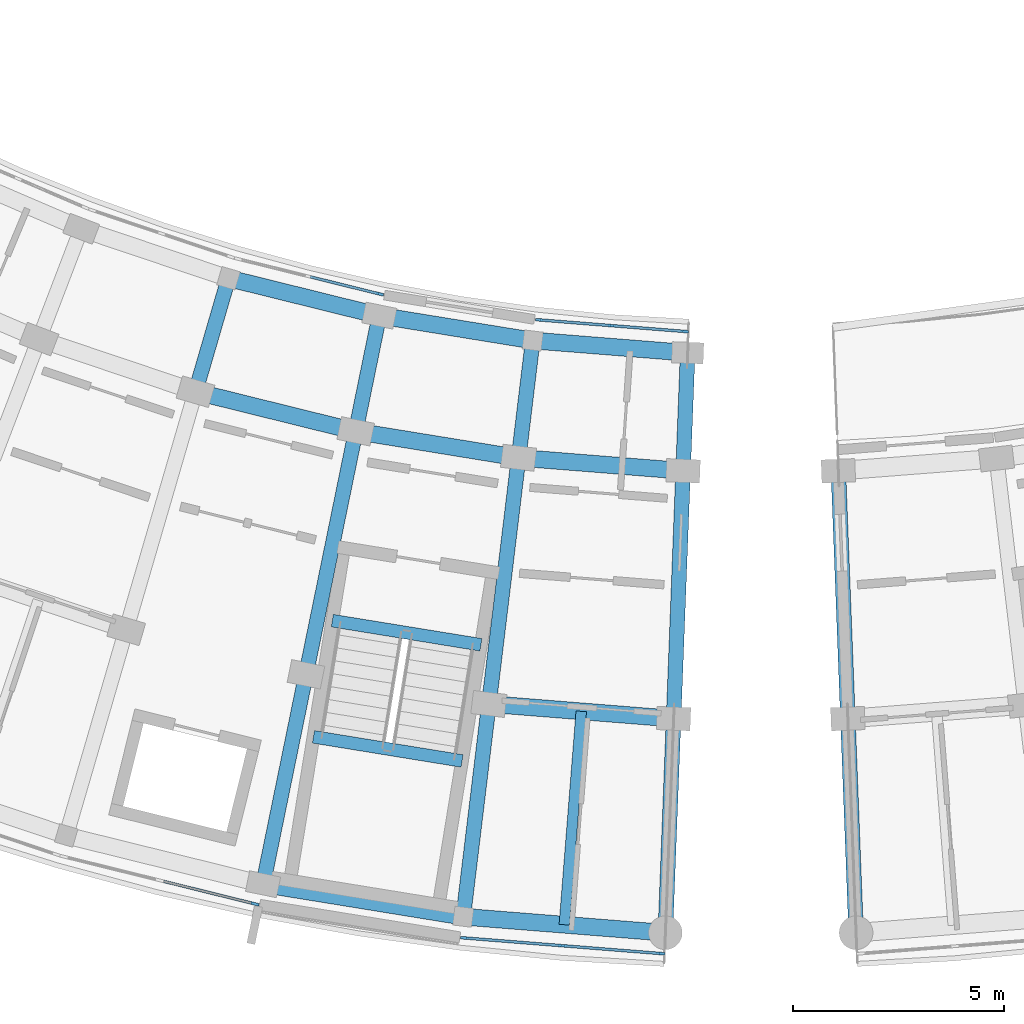
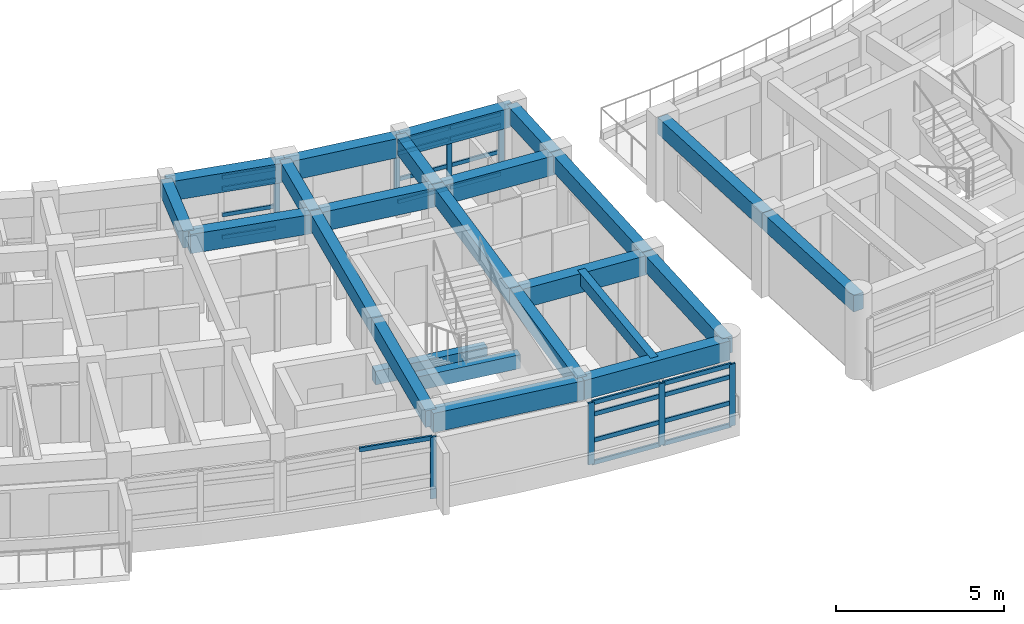
# One storey, part 12 of 54: 29 members, 24 beams, 4 elements without a shape of their own.
"""IFC4 building model written with IfcOpenShell, lengths in metres."""

from ifc_helpers import new_model, si_unit, direction, frame, origin, origin_2d, place, context, subcontext, project, spatial, rectangle, extrude, material, material_profile, profile_set, type_object, element, aggregate, save


model = new_model("IFC4")

# Units and contexts
model_context = context("Model", 3, precision=1e-05, world=origin(), true_north=direction((0.0, 1.0)))
body_context = subcontext(model_context, "Body", "Model", "MODEL_VIEW")
ifc_project = project(units=[si_unit("LENGTHUNIT", "METRE"), si_unit("AREAUNIT", "SQUARE_METRE"), si_unit("VOLUMEUNIT", "CUBIC_METRE"), si_unit("PLANEANGLEUNIT", "RADIAN"), si_unit("MASSUNIT", "GRAM", prefix="KILO")], contexts=[model_context])

# Site, building, storey
site_placement = place(None, origin())
site = spatial("IfcSite", under=ifc_project, at=site_placement, CompositionType="ELEMENT")
building_placement = place(site_placement, origin())
building = spatial("IfcBuilding", under=site, at=building_placement, Name="Zimvara Arc Housing Community", CompositionType="ELEMENT")
storey_placement = place(building_placement, frame((0.0, 0.0, 20.5)))
storey = spatial("IfcBuildingStorey", under=building, at=storey_placement, Name="L06", CompositionType="ELEMENT", Elevation=20.5)

# Beams
ifc_material_1 = material(Name="Concrete C40/50", Category="concrete")
ifc_material_profile_1 = material_profile(ifc_material_1, rectangle(XDim=0.25, YDim=0.449951171875, at=origin_2d()), Name="RC 250x450")
ifc_profile_set_1 = profile_set([ifc_material_profile_1], Name="Concrete C40/50")
beam_type_1 = type_object("IfcBeamType", Name="BM-RC-250x450", PredefinedType="JOIST", material=ifc_profile_set_1)
beam_1_placement = place(storey_placement, frame((121.72509765625, 56.2734375, 2.635009765625), z_axis=(-0.079171686291, -0.99686099537, 0.0), x_axis=(0.99686099537, -0.079171686291, 0.0)))
element("IfcBeam", 1, at=beam_1_placement, inside=storey, type_object=beam_type_1, Name="bm:blkC:L06:joist:b9", PredefinedType="JOIST", context=body_context, shape_type="SweptSolid", body=[
    extrude(rectangle(XDim=0.25, YDim=0.449951171875, at=origin_2d()), origin(), (0.0, 0.0, 1.0), 5.07568359375),
])
ifc_material_2 = material(Name="Concrete C40/50", Category="concrete")
ifc_material_profile_2 = material_profile(ifc_material_2, rectangle(XDim=0.300048828125, YDim=0.5, at=origin_2d()), Name="RC 300x500")
ifc_profile_set_2 = profile_set([ifc_material_profile_2], Name="Concrete C40/50")
beam_type_2 = type_object("IfcBeamType", Name="BM-RC-300x500", PredefinedType="BEAM", material=ifc_profile_set_2)
for number, where, z_axis, x_axis, name in (
    (2, (115.822265625, 58.423095703125, -0.25), (0.987080057935, -0.160227835371, 0.0), (0.160227835371, 0.987080057935, 0.0), "bm:stair_trim:ST-C2:L06:near"),
    (3, (115.375244140625, 55.6689453125, 1.300048828125), (0.987080057935, -0.160227835371, 0.0), (0.160227835371, 0.987080057935, 0.0), "bm:stair_trim:ST-C2:L06:mid"),
):
    element("IfcBeam", number, at=place(storey_placement, frame(where, z_axis=z_axis, x_axis=x_axis)), inside=storey, type_object=beam_type_2, Name=name, PredefinedType="BEAM", context=body_context, shape_type="SweptSolid", body=[
        extrude(rectangle(XDim=0.300048828125, YDim=0.5, at=origin_2d()), origin(), (0.0, 0.0, 1.0), 3.570068359375),
    ])
ifc_material_3 = material(Name="Concrete C40/50", Category="concrete")
ifc_material_profile_3 = material_profile(ifc_material_3, rectangle(XDim=0.35009765625, YDim=0.60009765625, at=origin_2d()), Name="RC 350x600")
ifc_profile_set_3 = profile_set([ifc_material_profile_3], Name="Concrete C40/50")
beam_type_3 = type_object("IfcBeamType", Name="BM-RC-350x600", PredefinedType="BEAM", material=ifc_profile_set_3)
for number, where, z_axis, x_axis, name in (
    (4, (113.361572265625, 66.540283203125, 2.56005859375), (-0.279635015525, -0.960106378529, 0.0), (0.960106378529, -0.279635015525, 0.0), "bm:blkC:L06:rad:b7:r01"),
    (5, (116.938232421875, 65.6552734375, 2.56005859375), (-0.20037341071, -0.979719600845, 0.0), (0.979719600845, -0.20037341071, 0.0), "bm:blkC:L06:rad:b8:r01"),
):
    element("IfcBeam", number, at=place(storey_placement, frame(where, z_axis=z_axis, x_axis=x_axis)), inside=storey, type_object=beam_type_3, Name=name, PredefinedType="BEAM", context=body_context, shape_type="SweptSolid", body=[
        extrude(rectangle(XDim=0.35009765625, YDim=0.60009765625, at=origin_2d()), origin(), (0.0, 0.0, 1.0), 2.800048828125),
    ])
beam_2_placement = place(storey_placement, frame((116.377197265625, 62.912109375, 2.56005859375), z_axis=(-0.200417973989, -0.979710485655, 0.0), x_axis=(0.979710485655, -0.200417973989, 0.0)))
element("IfcBeam", 6, at=beam_2_placement, inside=storey, type_object=beam_type_3, Name="bm:blkC:L06:rad:b8:r12", PredefinedType="BEAM", context=body_context, shape_type="SweptSolid", body=[
    extrude(rectangle(XDim=0.35009765625, YDim=0.60009765625, at=origin_2d()), origin(), (0.0, 0.0, 1.0), 5.880126953125),
])
beam_3_placement = place(storey_placement, frame((115.19873046875, 57.1513671875, 2.56005859375), z_axis=(-0.200356397601, -0.979723080233, 0.0), x_axis=(0.979723080233, -0.200356397601, 0.0)))
element("IfcBeam", 7, at=beam_3_placement, inside=storey, type_object=beam_type_3, Name="bm:blkC:L06:rad:b8:r23", PredefinedType="BEAM", context=body_context, shape_type="SweptSolid", body=[
    extrude(rectangle(XDim=0.35009765625, YDim=0.60009765625, at=origin_2d()), origin(), (0.0, 0.0, 1.0), 5.080078125),
])
beam_4_placement = place(storey_placement, frame((120.574951171875, 65.06494140625, 2.56005859375), z_axis=(-0.119719398078, -0.992807768767, 0.0), x_axis=(0.992807768767, -0.119719398078, 0.0)))
element("IfcBeam", 8, at=beam_4_placement, inside=storey, type_object=beam_type_3, Name="bm:blkC:L06:rad:b9:r01", PredefinedType="BEAM", context=body_context, shape_type="SweptSolid", body=[
    extrude(rectangle(XDim=0.35009765625, YDim=0.60009765625, at=origin_2d()), origin(), (0.0, 0.0, 1.0), 2.7998046875),
])
beam_5_placement = place(storey_placement, frame((120.23974609375, 62.28515625, 2.56005859375), z_axis=(-0.119786997154, -0.992799614884, 0.0), x_axis=(0.992799614884, -0.119786997154, 0.0)))
element("IfcBeam", 9, at=beam_5_placement, inside=storey, type_object=beam_type_3, Name="bm:blkC:L06:rad:b9:r12", PredefinedType="BEAM", context=body_context, shape_type="SweptSolid", body=[
    extrude(rectangle(XDim=0.35009765625, YDim=0.60009765625, at=origin_2d()), origin(), (0.0, 0.0, 1.0), 5.8798828125),
])
beam_6_placement = place(storey_placement, frame((119.535400390625, 56.447509765625, 2.56005859375), z_axis=(-0.119810359757, -0.992796795772, 0.0), x_axis=(0.992796795772, -0.119810359757, 0.0)))
element("IfcBeam", 10, at=beam_6_placement, inside=storey, type_object=beam_type_3, Name="bm:blkC:L06:rad:b9:r23", PredefinedType="BEAM", context=body_context, shape_type="SweptSolid", body=[
    extrude(rectangle(XDim=0.35009765625, YDim=0.60009765625, at=origin_2d()), origin(), (0.0, 0.0, 1.0), 5.080078125),
])
beam_7_placement = place(storey_placement, frame((124.248046875, 64.773193359375, 2.56005859375), z_axis=(-0.038453214409, -0.999260401648, 0.0), x_axis=(0.999260401648, -0.038453214409, 0.0)))
element("IfcBeam", 11, at=beam_7_placement, inside=storey, type_object=beam_type_3, Name="bm:blkC:L06:rad:b10:r01", PredefinedType="BEAM", context=body_context, shape_type="SweptSolid", body=[
    extrude(rectangle(XDim=0.35009765625, YDim=0.60009765625, at=origin_2d()), origin(), (0.0, 0.0, 1.0), 2.7998046875),
])
beam_8_placement = place(storey_placement, frame((124.140380859375, 61.975341796875, 2.56005859375), z_axis=(-0.038364555613, -0.999263809448, 0.0), x_axis=(0.999263809448, -0.038364555613, 0.0)))
element("IfcBeam", 12, at=beam_8_placement, inside=storey, type_object=beam_type_3, Name="bm:blkC:L06:rad:b10:r12", PredefinedType="BEAM", context=body_context, shape_type="SweptSolid", body=[
    extrude(rectangle(XDim=0.35009765625, YDim=0.60009765625, at=origin_2d()), origin(), (0.0, 0.0, 1.0), 5.880126953125),
])
beam_9_placement = place(storey_placement, frame((123.914794921875, 56.099609375, 2.56005859375), z_axis=(-0.038399898954, -0.999262451892, 0.0), x_axis=(0.999262451892, -0.038399898954, 0.0)))
element("IfcBeam", 13, at=beam_9_placement, inside=storey, type_object=beam_type_3, Name="bm:blkC:L06:rad:b10:r23", PredefinedType="BEAM", context=body_context, shape_type="SweptSolid", body=[
    extrude(rectangle(XDim=0.35009765625, YDim=0.60009765625, at=origin_2d()), origin(), (0.0, 0.0, 1.0), 5.079833984375),
])
beam_10_placement = place(storey_placement, frame((127.819580078125, 61.975341796875, 2.56005859375), z_axis=(0.038364555613, -0.999263809448, 0.0), x_axis=(0.999263809448, 0.038364555613, 0.0)))
element("IfcBeam", 14, at=beam_10_placement, inside=storey, type_object=beam_type_3, Name="bm:blkD:L06:rad:b0:r12", PredefinedType="BEAM", context=body_context, shape_type="SweptSolid", body=[
    extrude(rectangle(XDim=0.35009765625, YDim=0.60009765625, at=origin_2d()), origin(), (0.0, 0.0, 1.0), 5.880126953125),
])
beam_11_placement = place(storey_placement, frame((128.045166015625, 56.099609375, 2.56005859375), z_axis=(0.038399898954, -0.999262451892, 0.0), x_axis=(0.999262451892, 0.038399898954, 0.0)))
element("IfcBeam", 15, at=beam_11_placement, inside=storey, type_object=beam_type_3, Name="bm:blkD:L06:rad:b0:r23", PredefinedType="BEAM", context=body_context, shape_type="SweptSolid", body=[
    extrude(rectangle(XDim=0.35009765625, YDim=0.60009765625, at=origin_2d()), origin(), (0.0, 0.0, 1.0), 5.079833984375),
])
ifc_material_4 = material(Name="Concrete C40/50", Category="concrete")
ifc_material_profile_4 = material_profile(ifc_material_4, rectangle(XDim=0.39990234375, YDim=0.699951171875, at=origin_2d()), Name="RC 400x700")
ifc_profile_set_4 = profile_set([ifc_material_profile_4], Name="Concrete C40/50")
beam_type_4 = type_object("IfcBeamType", Name="BM-RC-400x700", PredefinedType="BEAM", material=ifc_profile_set_4)
beam_12_placement = place(storey_placement, frame((113.361572265625, 66.540283203125, 2.510009765625), z_axis=(0.970724337693, -0.240196295163, 0.0), x_axis=(0.240196295163, 0.970724337693, 0.0)))
element("IfcBeam", 16, at=beam_12_placement, inside=storey, type_object=beam_type_4, Name="bm:blkC:L06:chord:r0:b7", PredefinedType="BEAM", context=body_context, shape_type="SweptSolid", body=[
    extrude(rectangle(XDim=0.39990234375, YDim=0.699951171875, at=origin_2d()), origin(), (0.0, 0.0, 1.0), 3.6845703125),
])
beam_13_placement = place(storey_placement, frame((116.938232421875, 65.6552734375, 2.510009765625), z_axis=(0.987079996944, -0.160228211104, 0.0), x_axis=(0.160228211104, 0.987079996944, 0.0)))
element("IfcBeam", 17, at=beam_13_placement, inside=storey, type_object=beam_type_4, Name="bm:blkC:L06:chord:r0:b8", PredefinedType="BEAM", context=body_context, shape_type="SweptSolid", body=[
    extrude(rectangle(XDim=0.39990234375, YDim=0.699951171875, at=origin_2d()), origin(), (0.0, 0.0, 1.0), 3.684326171875),
])
beam_14_placement = place(storey_placement, frame((120.574951171875, 65.06494140625, 2.510009765625), z_axis=(0.996860413745, -0.079179009267, 0.0), x_axis=(0.079179009267, 0.996860413745, 0.0)))
element("IfcBeam", 18, at=beam_14_placement, inside=storey, type_object=beam_type_4, Name="bm:blkC:L06:chord:r0:b9", PredefinedType="BEAM", context=body_context, shape_type="SweptSolid", body=[
    extrude(rectangle(XDim=0.39990234375, YDim=0.699951171875, at=origin_2d()), origin(), (0.0, 0.0, 1.0), 3.6845703125),
])
for number, where, z_axis, x_axis, name in (
    (19, (112.57861328125, 63.85205078125, 2.510009765625), (0.970723220586, -0.240200809773, 0.0), (0.240200809773, 0.970723220586, 0.0), "bm:blkC:L06:chord:r1:b7"),
    (20, (116.377197265625, 62.912109375, 2.510009765625), (0.987081487371, -0.160219029111, 0.0), (0.160219029111, 0.987081487371, 0.0), "bm:blkC:L06:chord:r1:b8"),
):
    element("IfcBeam", number, at=place(storey_placement, frame(where, z_axis=z_axis, x_axis=x_axis)), inside=storey, type_object=beam_type_4, Name=name, PredefinedType="BEAM", context=body_context, shape_type="SweptSolid", body=[
        extrude(rectangle(XDim=0.39990234375, YDim=0.699951171875, at=origin_2d()), origin(), (0.0, 0.0, 1.0), 3.9130859375),
    ])
beam_15_placement = place(storey_placement, frame((120.23974609375, 62.28515625, 2.510009765625), z_axis=(0.99686054795, -0.079177319606, 0.0), x_axis=(0.079177319606, 0.99686054795, 0.0)))
element("IfcBeam", 21, at=beam_15_placement, inside=storey, type_object=beam_type_4, Name="bm:blkC:L06:chord:r1:b9", PredefinedType="BEAM", context=body_context, shape_type="SweptSolid", body=[
    extrude(rectangle(XDim=0.39990234375, YDim=0.699951171875, at=origin_2d()), origin(), (0.0, 0.0, 1.0), 3.912841796875),
])
beam_16_placement = place(storey_placement, frame((119.535400390625, 56.447509765625, 2.510009765625), z_axis=(0.996859476344, -0.079190810224, 0.0), x_axis=(0.079190810224, 0.996859476344, 0.0)))
element("IfcBeam", 22, at=beam_16_placement, inside=storey, type_object=beam_type_4, Name="bm:blkC:L06:chord:r2:b9", PredefinedType="BEAM", context=body_context, shape_type="SweptSolid", body=[
    extrude(rectangle(XDim=0.39990234375, YDim=0.699951171875, at=origin_2d()), origin(), (0.0, 0.0, 1.0), 4.393310546875),
])
beam_17_placement = place(storey_placement, frame((114.180908203125, 52.17431640625, 2.510009765625), z_axis=(0.987083566885, -0.160206217065, 0.0), x_axis=(0.160206217065, 0.987083566885, 0.0)))
element("IfcBeam", 23, at=beam_17_placement, inside=storey, type_object=beam_type_4, Name="bm:blkC:L06:chord:r3:b8", PredefinedType="BEAM", context=body_context, shape_type="SweptSolid", body=[
    extrude(rectangle(XDim=0.39990234375, YDim=0.699951171875, at=origin_2d()), origin(), (0.0, 0.0, 1.0), 4.807861328125),
])
beam_18_placement = place(storey_placement, frame((118.9267578125, 51.404052734375, 2.510009765625), z_axis=(0.996861768207, -0.0791619548, 0.0), x_axis=(0.0791619548, 0.996861768207, 0.0)))
element("IfcBeam", 24, at=beam_18_placement, inside=storey, type_object=beam_type_4, Name="bm:blkC:L06:chord:r3:b9", PredefinedType="BEAM", context=body_context, shape_type="SweptSolid", body=[
    extrude(rectangle(XDim=0.39990234375, YDim=0.699951171875, at=origin_2d()), origin(), (0.0, 0.0, 1.0), 4.80810546875),
])

# Curtain wall, member
ifc_material_5 = material(Name="Anodised Aluminium AW-6063", Category="aluminium")
curtain_wall_type_1 = type_object("IfcCurtainWallType", Name="CW-SYS-08", PredefinedType="USERDEFINED", material=ifc_material_5)
curtain_wall_1_placement = place(storey_placement, origin())
curtain_wall_1 = element("IfcCurtainWall", 25, at=curtain_wall_1_placement, inside=storey, type_object=curtain_wall_type_1, Name="cw:blkC:L06:in:b7", ObjectType="CURTAIN WALL", PredefinedType="USERDEFINED")
ifc_material_6 = material(Name="Anodised Aluminium AW-6063", Category="aluminium")
ifc_material_profile_5 = material_profile(ifc_material_6, rectangle(XDim=0.06494140625, YDim=0.179931640625, at=origin_2d()), Name="ALU 65x180")
ifc_profile_set_5 = profile_set([ifc_material_profile_5], Name="Anodised Aluminium AW-6063")
member_type_1 = type_object("IfcMemberType", Name="CWM-65x150", PredefinedType="MULLION", material=ifc_profile_set_5)
member_1_placement = place(storey_placement, frame((116.94873046875, 66.167236328125, 0.0), z_axis=(0.0, 0.0, 1.0), x_axis=(0.240227815706, 0.970716537698, 0.0)))
member_1 = element("IfcMember", 26, at=member_1_placement, type_object=member_type_1, Name="CW08 mullion 3", PredefinedType="MULLION", context=body_context, shape_type="SweptSolid", body=[
    extrude(rectangle(XDim=0.06494140625, YDim=0.179931640625, at=origin_2d()), origin(), (0.0, 0.0, 1.0), 2.25),
])

# Curtain wall, members
ifc_material_7 = material(Name="Anodised Aluminium AW-6063", Category="aluminium")
curtain_wall_type_2 = type_object("IfcCurtainWallType", Name="CW-SYS-02", PredefinedType="USERDEFINED", material=ifc_material_7)
curtain_wall_2_placement = place(storey_placement, origin())
curtain_wall_2 = element("IfcCurtainWall", 27, at=curtain_wall_2_placement, inside=storey, type_object=curtain_wall_type_2, Name="cw:blkC:L06:in:b9", ObjectType="CURTAIN WALL", PredefinedType="USERDEFINED")
member_2_placement = place(storey_placement, frame((120.72705078125, 65.553955078125, 0.0), z_axis=(0.0, 0.0, 1.0), x_axis=(0.079154709897, 0.996862343506, 0.0)))
member_2 = element("IfcMember", 28, at=member_2_placement, type_object=member_type_1, Name="CW02 mullion 1", PredefinedType="MULLION", context=body_context, shape_type="SweptSolid", body=[
    extrude(rectangle(XDim=0.06494140625, YDim=0.179931640625, at=origin_2d()), origin(), (0.0, 0.0, 1.0), 2.25),
])
member_3_placement = place(storey_placement, frame((122.450927734375, 65.4169921875, 0.0), z_axis=(0.0, 0.0, 1.0), x_axis=(0.079154709897, 0.996862343506, 0.0)))
member_3 = element("IfcMember", 29, at=member_3_placement, type_object=member_type_1, Name="CW02 mullion 2", PredefinedType="MULLION", context=body_context, shape_type="SweptSolid", body=[
    extrude(rectangle(XDim=0.06494140625, YDim=0.179931640625, at=origin_2d()), origin(), (0.0, 0.0, 1.0), 2.25),
])
member_4_placement = place(storey_placement, frame((124.1748046875, 65.2802734375, 0.0), z_axis=(0.0, 0.0, 1.0), x_axis=(0.079154709897, 0.996862343506, 0.0)))
member_4 = element("IfcMember", 30, at=member_4_placement, type_object=member_type_1, Name="CW02 mullion 3", PredefinedType="MULLION", context=body_context, shape_type="SweptSolid", body=[
    extrude(rectangle(XDim=0.06494140625, YDim=0.179931640625, at=origin_2d()), origin(), (0.0, 0.0, 1.0), 2.25),
])

# Curtain wall, member
ifc_material_8 = material(Name="Anodised Aluminium AW-6063", Category="aluminium")
curtain_wall_type_3 = type_object("IfcCurtainWallType", Name="CW-SYS-07", PredefinedType="USERDEFINED", material=ifc_material_8)
curtain_wall_3_placement = place(storey_placement, origin())
curtain_wall_3 = element("IfcCurtainWall", 31, at=curtain_wall_3_placement, inside=storey, type_object=curtain_wall_type_3, Name="cw:blkC:L06:out:b7", ObjectType="CURTAIN WALL", PredefinedType="USERDEFINED")
ifc_material_9 = material(Name="Anodised Aluminium AW-6063", Category="aluminium")
ifc_material_profile_6 = material_profile(ifc_material_9, rectangle(XDim=0.06494140625, YDim=0.195068359375, at=origin_2d()), Name="ALU 65x195")
ifc_profile_set_6 = profile_set([ifc_material_profile_6], Name="Anodised Aluminium AW-6063")
member_type_2 = type_object("IfcMemberType", Name="CWM-65x180", PredefinedType="MULLION", material=ifc_profile_set_6)
member_5_placement = place(storey_placement, frame((113.99072265625, 51.706787109375, 0.0), z_axis=(0.0, 0.0, 1.0), x_axis=(0.240229711131, 0.970716068627, 0.0)))
member_5 = element("IfcMember", 32, at=member_5_placement, type_object=member_type_2, Name="CW07 mullion 3", PredefinedType="MULLION", context=body_context, shape_type="SweptSolid", body=[
    extrude(rectangle(XDim=0.06494140625, YDim=0.195068359375, at=origin_2d()), origin(), (0.0, 0.0, 1.0), 2.25),
])

# Curtain wall, members
ifc_material_10 = material(Name="Anodised Aluminium AW-6063", Category="aluminium")
curtain_wall_type_4 = type_object("IfcCurtainWallType", Name="CW-SYS-01", PredefinedType="USERDEFINED", material=ifc_material_10)
curtain_wall_4_placement = place(storey_placement, origin())
curtain_wall_4 = element("IfcCurtainWall", 33, at=curtain_wall_4_placement, inside=storey, type_object=curtain_wall_type_4, Name="cw:blkC:L06:out:b9", ObjectType="CURTAIN WALL", PredefinedType="USERDEFINED")
member_6_placement = place(storey_placement, frame((118.958984375, 50.900146484375, 0.0), z_axis=(0.0, 0.0, 1.0), x_axis=(0.079153759607, 0.996862418963, 0.0)))
member_6 = element("IfcMember", 34, at=member_6_placement, type_object=member_type_2, Name="CW01 mullion 1", PredefinedType="MULLION", context=body_context, shape_type="SweptSolid", body=[
    extrude(rectangle(XDim=0.06494140625, YDim=0.195068359375, at=origin_2d()), origin(), (0.0, 0.0, 1.0), 2.25),
])
member_7_placement = place(storey_placement, frame((121.28369140625, 50.715576171875, 0.0), z_axis=(0.0, 0.0, 1.0), x_axis=(0.079153759607, 0.996862418963, 0.0)))
member_7 = element("IfcMember", 35, at=member_7_placement, type_object=member_type_2, Name="CW01 mullion 2", PredefinedType="MULLION", context=body_context, shape_type="SweptSolid", body=[
    extrude(rectangle(XDim=0.06494140625, YDim=0.195068359375, at=origin_2d()), origin(), (0.0, 0.0, 1.0), 2.25),
])
member_8_placement = place(storey_placement, frame((123.6083984375, 50.531005859375, 0.0), z_axis=(0.0, 0.0, 1.0), x_axis=(0.079153759607, 0.996862418963, 0.0)))
member_8 = element("IfcMember", 36, at=member_8_placement, type_object=member_type_2, Name="CW01 mullion 3", PredefinedType="MULLION", context=body_context, shape_type="SweptSolid", body=[
    extrude(rectangle(XDim=0.06494140625, YDim=0.195068359375, at=origin_2d()), origin(), (0.0, 0.0, 1.0), 2.25),
])

# Member
ifc_material_11 = material(Name="Anodised Aluminium AW-6063", Category="aluminium")
ifc_material_profile_7 = material_profile(ifc_material_11, rectangle(XDim=0.06494140625, YDim=0.139892578125, at=origin_2d()), Name="ALU 65x140")
ifc_profile_set_7 = profile_set([ifc_material_profile_7], Name="Anodised Aluminium AW-6063")
member_type_3 = type_object("IfcMemberType", Name="CWT-65x120", PredefinedType="USERDEFINED", material=ifc_profile_set_7)
member_9_placement = place(storey_placement, frame((115.301513671875, 66.574951171875, 0.032470703125), z_axis=(0.970700809973, -0.24029135964, 0.0), x_axis=(0.24029135964, 0.970700809973, 0.0)))
member_9 = element("IfcMember", 37, at=member_9_placement, type_object=member_type_3, Name="CW08 transom 2.1", ObjectType="TRANSOM", PredefinedType="USERDEFINED", context=body_context, shape_type="SweptSolid", body=[
    extrude(rectangle(XDim=0.06494140625, YDim=0.139892578125, at=origin_2d()), origin(), (0.0, 0.0, 1.0), 1.664306640625),
])

member_10_placement = place(storey_placement, frame((115.301513671875, 66.574951171875, 0.85009765625), z_axis=(0.970700809973, -0.24029135964, 0.0), x_axis=(0.24029135964, 0.970700809973, 0.0)))
member_10 = element("IfcMember", 38, at=member_10_placement, type_object=member_type_3, Name="CW08 transom 2.2", ObjectType="TRANSOM", PredefinedType="USERDEFINED", context=body_context, shape_type="SweptSolid", body=[
    extrude(rectangle(XDim=0.06494140625, YDim=0.139892578125, at=origin_2d()), origin(), (0.0, 0.0, 1.0), 1.664306640625),
])

member_11_placement = place(storey_placement, frame((115.301513671875, 66.574951171875, 1.800048828125), z_axis=(0.970700809973, -0.24029135964, 0.0), x_axis=(0.24029135964, 0.970700809973, 0.0)))
member_11 = element("IfcMember", 39, at=member_11_placement, type_object=member_type_3, Name="CW08 transom 2.3", ObjectType="TRANSOM", PredefinedType="USERDEFINED", context=body_context, shape_type="SweptSolid", body=[
    extrude(rectangle(XDim=0.06494140625, YDim=0.139892578125, at=origin_2d()), origin(), (0.0, 0.0, 1.0), 1.664306640625),
])

member_12_placement = place(storey_placement, frame((115.301513671875, 66.574951171875, 2.217529296875), z_axis=(0.970700809973, -0.24029135964, 0.0), x_axis=(0.24029135964, 0.970700809973, 0.0)))
member_12 = element("IfcMember", 40, at=member_12_placement, type_object=member_type_3, Name="CW08 transom 2.4", ObjectType="TRANSOM", PredefinedType="USERDEFINED", context=body_context, shape_type="SweptSolid", body=[
    extrude(rectangle(XDim=0.06494140625, YDim=0.139892578125, at=origin_2d()), origin(), (0.0, 0.0, 1.0), 1.664306640625),
])

aggregate(curtain_wall_1, [member_1, member_9, member_10, member_11, member_12])

member_13_placement = place(storey_placement, frame((120.759521484375, 65.551513671875, 0.032470703125), z_axis=(0.99685804311, -0.079208849806, 0.0), x_axis=(0.079208849806, 0.99685804311, 0.0)))
member_13 = element("IfcMember", 41, at=member_13_placement, type_object=member_type_3, Name="CW02 transom 1.1", ObjectType="TRANSOM", PredefinedType="USERDEFINED", context=body_context, shape_type="SweptSolid", body=[
    extrude(rectangle(XDim=0.06494140625, YDim=0.139892578125, at=origin_2d()), origin(), (0.0, 0.0, 1.0), 1.664306640625),
])

member_14_placement = place(storey_placement, frame((120.759521484375, 65.551513671875, 0.85009765625), z_axis=(0.99685804311, -0.079208849806, 0.0), x_axis=(0.079208849806, 0.99685804311, 0.0)))
member_14 = element("IfcMember", 42, at=member_14_placement, type_object=member_type_3, Name="CW02 transom 1.2", ObjectType="TRANSOM", PredefinedType="USERDEFINED", context=body_context, shape_type="SweptSolid", body=[
    extrude(rectangle(XDim=0.06494140625, YDim=0.139892578125, at=origin_2d()), origin(), (0.0, 0.0, 1.0), 1.664306640625),
])

member_15_placement = place(storey_placement, frame((120.759521484375, 65.551513671875, 1.800048828125), z_axis=(0.99685804311, -0.079208849806, 0.0), x_axis=(0.079208849806, 0.99685804311, 0.0)))
member_15 = element("IfcMember", 43, at=member_15_placement, type_object=member_type_3, Name="CW02 transom 1.3", ObjectType="TRANSOM", PredefinedType="USERDEFINED", context=body_context, shape_type="SweptSolid", body=[
    extrude(rectangle(XDim=0.06494140625, YDim=0.139892578125, at=origin_2d()), origin(), (0.0, 0.0, 1.0), 1.664306640625),
])

member_16_placement = place(storey_placement, frame((120.759521484375, 65.551513671875, 2.217529296875), z_axis=(0.99685804311, -0.079208849806, 0.0), x_axis=(0.079208849806, 0.99685804311, 0.0)))
member_16 = element("IfcMember", 44, at=member_16_placement, type_object=member_type_3, Name="CW02 transom 1.4", ObjectType="TRANSOM", PredefinedType="USERDEFINED", context=body_context, shape_type="SweptSolid", body=[
    extrude(rectangle(XDim=0.06494140625, YDim=0.139892578125, at=origin_2d()), origin(), (0.0, 0.0, 1.0), 1.664306640625),
])

member_17_placement = place(storey_placement, frame((122.4833984375, 65.41455078125, 0.032470703125), z_axis=(0.99685804311, -0.079208849806, 0.0), x_axis=(0.079208849806, 0.99685804311, 0.0)))
member_17 = element("IfcMember", 45, at=member_17_placement, type_object=member_type_3, Name="CW02 transom 2.1", ObjectType="TRANSOM", PredefinedType="USERDEFINED", context=body_context, shape_type="SweptSolid", body=[
    extrude(rectangle(XDim=0.06494140625, YDim=0.139892578125, at=origin_2d()), origin(), (0.0, 0.0, 1.0), 1.664306640625),
])

member_18_placement = place(storey_placement, frame((122.4833984375, 65.41455078125, 0.85009765625), z_axis=(0.99685804311, -0.079208849806, 0.0), x_axis=(0.079208849806, 0.99685804311, 0.0)))
member_18 = element("IfcMember", 46, at=member_18_placement, type_object=member_type_3, Name="CW02 transom 2.2", ObjectType="TRANSOM", PredefinedType="USERDEFINED", context=body_context, shape_type="SweptSolid", body=[
    extrude(rectangle(XDim=0.06494140625, YDim=0.139892578125, at=origin_2d()), origin(), (0.0, 0.0, 1.0), 1.664306640625),
])

member_19_placement = place(storey_placement, frame((122.4833984375, 65.41455078125, 1.800048828125), z_axis=(0.99685804311, -0.079208849806, 0.0), x_axis=(0.079208849806, 0.99685804311, 0.0)))
member_19 = element("IfcMember", 47, at=member_19_placement, type_object=member_type_3, Name="CW02 transom 2.3", ObjectType="TRANSOM", PredefinedType="USERDEFINED", context=body_context, shape_type="SweptSolid", body=[
    extrude(rectangle(XDim=0.06494140625, YDim=0.139892578125, at=origin_2d()), origin(), (0.0, 0.0, 1.0), 1.664306640625),
])

member_20_placement = place(storey_placement, frame((122.4833984375, 65.41455078125, 2.217529296875), z_axis=(0.99685804311, -0.079208849806, 0.0), x_axis=(0.079208849806, 0.99685804311, 0.0)))
member_20 = element("IfcMember", 48, at=member_20_placement, type_object=member_type_3, Name="CW02 transom 2.4", ObjectType="TRANSOM", PredefinedType="USERDEFINED", context=body_context, shape_type="SweptSolid", body=[
    extrude(rectangle(XDim=0.06494140625, YDim=0.139892578125, at=origin_2d()), origin(), (0.0, 0.0, 1.0), 1.664306640625),
])

aggregate(curtain_wall_2, [member_2, member_3, member_4, member_13, member_14, member_15, member_16, member_17, member_18, member_19, member_20])

ifc_material_12 = material(Name="Anodised Aluminium AW-6063", Category="aluminium")
ifc_material_profile_8 = material_profile(ifc_material_12, rectangle(XDim=0.06494140625, YDim=0.155029296875, at=origin_2d()), Name="ALU 65x155")
ifc_profile_set_8 = profile_set([ifc_material_profile_8], Name="Anodised Aluminium AW-6063")
member_type_4 = type_object("IfcMemberType", Name="CWT-65x140", PredefinedType="USERDEFINED", material=ifc_profile_set_8)
member_21_placement = place(storey_placement, frame((111.7587890625, 52.259033203125, 2.217529296875), z_axis=(0.970728837212, -0.240178110172, 0.0), x_axis=(0.240178110172, 0.970728837212, 0.0)))
member_21 = element("IfcMember", 49, at=member_21_placement, type_object=member_type_4, Name="CW07 transom 2.4", ObjectType="TRANSOM", PredefinedType="USERDEFINED", context=body_context, shape_type="SweptSolid", body=[
    extrude(rectangle(XDim=0.06494140625, YDim=0.155029296875, at=origin_2d()), origin(), (0.0, 0.0, 1.0), 2.266845703125),
])

aggregate(curtain_wall_3, [member_5, member_21])

member_22_placement = place(storey_placement, frame((118.991455078125, 50.897705078125, 0.032470703125), z_axis=(0.996862021022, -0.079158771116, 0.0), x_axis=(0.079158771116, 0.996862021022, 0.0)))
member_22 = element("IfcMember", 50, at=member_22_placement, type_object=member_type_4, Name="CW01 transom 1.1", ObjectType="TRANSOM", PredefinedType="USERDEFINED", context=body_context, shape_type="SweptSolid", body=[
    extrude(rectangle(XDim=0.06494140625, YDim=0.155029296875, at=origin_2d()), origin(), (0.0, 0.0, 1.0), 2.266845703125),
])

member_23_placement = place(storey_placement, frame((118.991455078125, 50.897705078125, 0.85009765625), z_axis=(0.996862021022, -0.079158771116, 0.0), x_axis=(0.079158771116, 0.996862021022, 0.0)))
member_23 = element("IfcMember", 51, at=member_23_placement, type_object=member_type_4, Name="CW01 transom 1.2", ObjectType="TRANSOM", PredefinedType="USERDEFINED", context=body_context, shape_type="SweptSolid", body=[
    extrude(rectangle(XDim=0.06494140625, YDim=0.155029296875, at=origin_2d()), origin(), (0.0, 0.0, 1.0), 2.266845703125),
])

member_24_placement = place(storey_placement, frame((118.991455078125, 50.897705078125, 1.800048828125), z_axis=(0.996862021022, -0.079158771116, 0.0), x_axis=(0.079158771116, 0.996862021022, 0.0)))
member_24 = element("IfcMember", 52, at=member_24_placement, type_object=member_type_4, Name="CW01 transom 1.3", ObjectType="TRANSOM", PredefinedType="USERDEFINED", context=body_context, shape_type="SweptSolid", body=[
    extrude(rectangle(XDim=0.06494140625, YDim=0.155029296875, at=origin_2d()), origin(), (0.0, 0.0, 1.0), 2.266845703125),
])

member_25_placement = place(storey_placement, frame((118.991455078125, 50.897705078125, 2.217529296875), z_axis=(0.996862021022, -0.079158771116, 0.0), x_axis=(0.079158771116, 0.996862021022, 0.0)))
member_25 = element("IfcMember", 53, at=member_25_placement, type_object=member_type_4, Name="CW01 transom 1.4", ObjectType="TRANSOM", PredefinedType="USERDEFINED", context=body_context, shape_type="SweptSolid", body=[
    extrude(rectangle(XDim=0.06494140625, YDim=0.155029296875, at=origin_2d()), origin(), (0.0, 0.0, 1.0), 2.266845703125),
])

member_26_placement = place(storey_placement, frame((121.316162109375, 50.713134765625, 0.032470703125), z_axis=(0.996862021022, -0.079158771116, 0.0), x_axis=(0.079158771116, 0.996862021022, 0.0)))
member_26 = element("IfcMember", 54, at=member_26_placement, type_object=member_type_4, Name="CW01 transom 2.1", ObjectType="TRANSOM", PredefinedType="USERDEFINED", context=body_context, shape_type="SweptSolid", body=[
    extrude(rectangle(XDim=0.06494140625, YDim=0.155029296875, at=origin_2d()), origin(), (0.0, 0.0, 1.0), 2.266845703125),
])

member_27_placement = place(storey_placement, frame((121.316162109375, 50.713134765625, 0.85009765625), z_axis=(0.996862021022, -0.079158771116, 0.0), x_axis=(0.079158771116, 0.996862021022, 0.0)))
member_27 = element("IfcMember", 55, at=member_27_placement, type_object=member_type_4, Name="CW01 transom 2.2", ObjectType="TRANSOM", PredefinedType="USERDEFINED", context=body_context, shape_type="SweptSolid", body=[
    extrude(rectangle(XDim=0.06494140625, YDim=0.155029296875, at=origin_2d()), origin(), (0.0, 0.0, 1.0), 2.266845703125),
])

member_28_placement = place(storey_placement, frame((121.316162109375, 50.713134765625, 1.800048828125), z_axis=(0.996862021022, -0.079158771116, 0.0), x_axis=(0.079158771116, 0.996862021022, 0.0)))
member_28 = element("IfcMember", 56, at=member_28_placement, type_object=member_type_4, Name="CW01 transom 2.3", ObjectType="TRANSOM", PredefinedType="USERDEFINED", context=body_context, shape_type="SweptSolid", body=[
    extrude(rectangle(XDim=0.06494140625, YDim=0.155029296875, at=origin_2d()), origin(), (0.0, 0.0, 1.0), 2.266845703125),
])

member_29_placement = place(storey_placement, frame((121.316162109375, 50.713134765625, 2.217529296875), z_axis=(0.996862021022, -0.079158771116, 0.0), x_axis=(0.079158771116, 0.996862021022, 0.0)))
member_29 = element("IfcMember", 57, at=member_29_placement, type_object=member_type_4, Name="CW01 transom 2.4", ObjectType="TRANSOM", PredefinedType="USERDEFINED", context=body_context, shape_type="SweptSolid", body=[
    extrude(rectangle(XDim=0.06494140625, YDim=0.155029296875, at=origin_2d()), origin(), (0.0, 0.0, 1.0), 2.266845703125),
])

aggregate(curtain_wall_4, [member_6, member_7, member_8, member_22, member_23, member_24, member_25, member_26, member_27, member_28, member_29])

save(model, "model.ifc")
